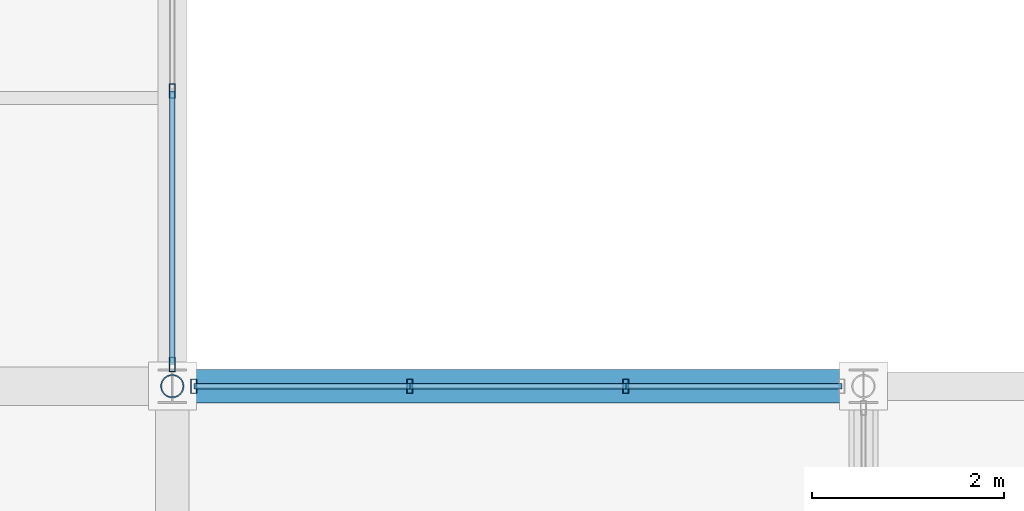
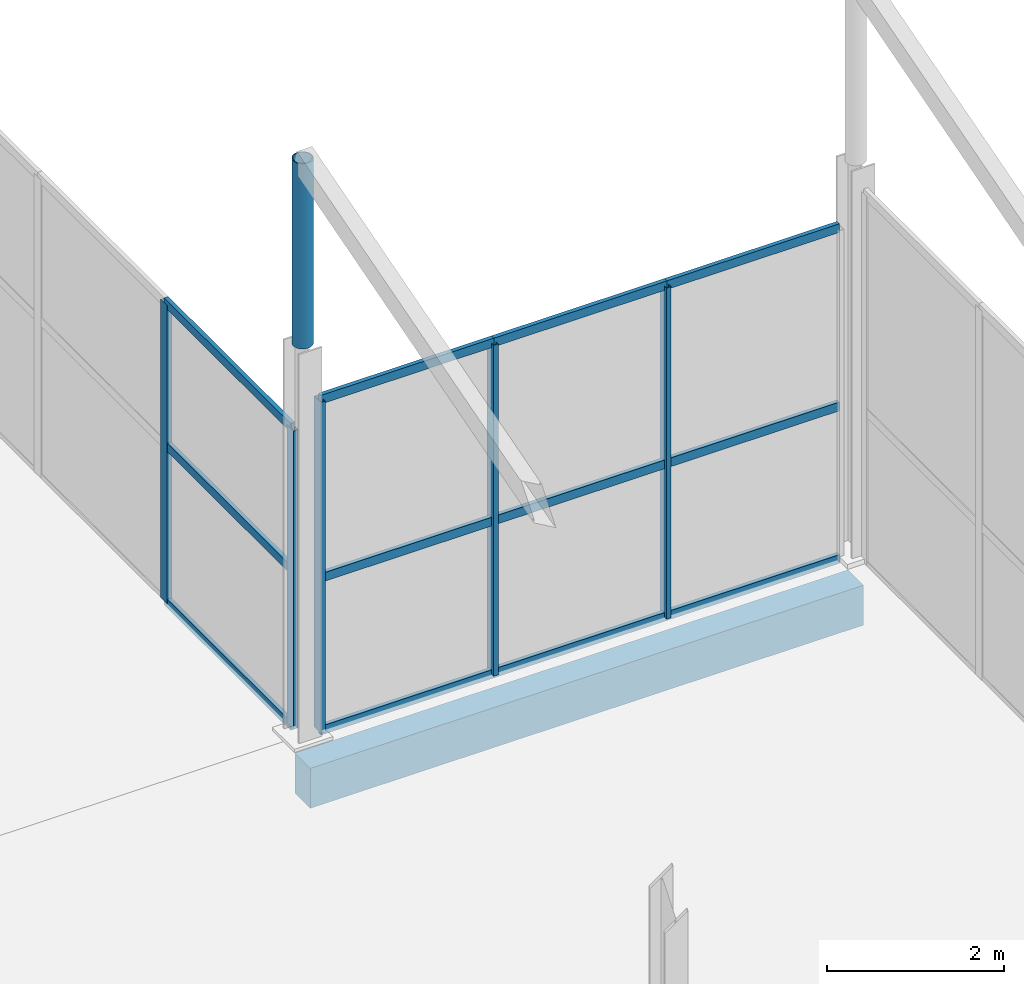
# One storey, part 76 of 141: 18 members, 1 beam, 2 elements without a shape of their own.
"""IFC4 building model written with IfcOpenShell, lengths in metres."""

from ifc_helpers import new_model, si_unit, direction, frame, origin, origin_2d, place, context, subcontext, project, spatial, rectangle, hollow_rectangle, hollow_circle, extrude, material, layer, layer_set, material_profile, profile_set, type_object, element, aggregate, save


model = new_model("IFC4")

# Units and contexts
model_context = context("Model", 3, precision=1e-05, world=origin(), true_north=direction((0.0, 1.0)))
body_context = subcontext(model_context, "Body", "Model", "MODEL_VIEW")
ifc_project = project(units=[si_unit("LENGTHUNIT", "METRE"), si_unit("AREAUNIT", "SQUARE_METRE"), si_unit("VOLUMEUNIT", "CUBIC_METRE"), si_unit("PLANEANGLEUNIT", "RADIAN"), si_unit("MASSUNIT", "GRAM", prefix="KILO")], contexts=[model_context])

# Site, building, storey
site_placement = place(None, origin())
site = spatial("IfcSite", under=ifc_project, at=site_placement, CompositionType="ELEMENT")
building_placement = place(site_placement, origin())
building = spatial("IfcBuilding", under=site, at=building_placement, Name="Sundgate Opera House", CompositionType="ELEMENT")
storey_placement = place(building_placement, frame((0.0, 0.0, 11.39990234375)))
storey = spatial("IfcBuildingStorey", under=building, at=storey_placement, Name="L02", CompositionType="ELEMENT", Elevation=11.39990234375)

# Beam
ifc_material_1 = material(Name="Concrete C35/45", Category="concrete")
ifc_material_profile_1 = material_profile(ifc_material_1, rectangle(XDim=0.35009765625, YDim=0.550048828125, at=origin_2d()), Name="RC 350x550")
ifc_profile_set_1 = profile_set([ifc_material_profile_1], Name="Concrete C35/45")
beam_type = type_object("IfcBeamType", Name="BM-RC-350x550", PredefinedType="BEAM", material=ifc_profile_set_1)
beam_placement = place(storey_placement, frame((145.800048828125, 33.0, -0.625), z_axis=(1.0, 0.0, 0.0), x_axis=(0.0, 1.0, 0.0)))
element("IfcBeam", 1, at=beam_placement, inside=storey, type_object=beam_type, Name="L02 Primary E-W Girder B2004", PredefinedType="BEAM", context=body_context, shape_type="SweptSolid", body=[
    extrude(rectangle(XDim=0.35009765625, YDim=0.550048828125, at=origin_2d()), origin(), (0.0, 0.0, 1.0), 7.199951171875),
])

# Curtain wall, members
ifc_material_2 = material(Name="Anodized aluminium and low-iron glass", Category="aluminium")
ifc_layer_1 = layer(ifc_material_2, 0.159912109375)
ifc_layer_set_1 = layer_set([ifc_layer_1], Name="Anodized aluminium and low-iron glass")
curtain_wall_type_1 = type_object("IfcCurtainWallType", Name="CW-STUDIO-DARK", PredefinedType="NOTDEFINED", material=ifc_layer_set_1)
curtain_wall_1_placement = place(storey_placement, origin())
curtain_wall_1 = element("IfcCurtainWall", 2, at=curtain_wall_1_placement, inside=storey, type_object=curtain_wall_type_1, Name="L02 Curtain Wall CW063", PredefinedType="NOTDEFINED")
ifc_material_3 = material(Name="Anodized aluminium EN AW-6063", Category="aluminium")
ifc_material_profile_2 = material_profile(ifc_material_3, hollow_rectangle(XDim=0.06005859375, YDim=0.14990234375, WallThickness=0.00390625, at=origin_2d()), Name="CWM 150x60x4")
ifc_profile_set_2 = profile_set([ifc_material_profile_2], Name="Anodized aluminium EN AW-6063")
member_type_1 = type_object("IfcMemberType", Name="CWM-ALU-150x60", PredefinedType="MULLION", material=ifc_profile_set_2)
member_1_placement = place(storey_placement, frame((145.800048828125, 33.22509765625, 0.0), z_axis=(0.0, 0.0, 1.0), x_axis=(1.0, 0.0, 0.0)))
member_1 = element("IfcMember", 3, at=member_1_placement, type_object=member_type_1, Name="CW063 Mullion 1", PredefinedType="MULLION", context=body_context, shape_type="SweptSolid", body=[
    extrude(hollow_rectangle(XDim=0.06005859375, YDim=0.14990234375, WallThickness=0.00390625, at=origin_2d()), origin(), (0.0, 0.0, 1.0), 4.10498046875),
])
member_2_placement = place(storey_placement, frame((145.800048828125, 36.074951171875, 0.0), z_axis=(0.0, 0.0, 1.0), x_axis=(1.0, 0.0, 0.0)))
member_2 = element("IfcMember", 4, at=member_2_placement, type_object=member_type_1, Name="CW063 Mullion 2", PredefinedType="MULLION", context=body_context, shape_type="SweptSolid", body=[
    extrude(hollow_rectangle(XDim=0.06005859375, YDim=0.14990234375, WallThickness=0.00390625, at=origin_2d()), origin(), (0.0, 0.0, 1.0), 4.10498046875),
])

ifc_material_4 = material(Name="Anodized aluminium and low-iron glass", Category="aluminium")
ifc_layer_2 = layer(ifc_material_4, 0.14990234375)
ifc_layer_set_2 = layer_set([ifc_layer_2], Name="Anodized aluminium and low-iron glass")
curtain_wall_type_2 = type_object("IfcCurtainWallType", Name="CW-WORKSHOP-DARK", PredefinedType="NOTDEFINED", material=ifc_layer_set_2)
curtain_wall_2_placement = place(storey_placement, origin())
curtain_wall_2 = element("IfcCurtainWall", 5, at=curtain_wall_2_placement, inside=storey, type_object=curtain_wall_type_2, Name="L02 Curtain Wall CW168", PredefinedType="NOTDEFINED")
member_3_placement = place(storey_placement, frame((146.02490234375, 33.0, 0.0), z_axis=(0.0, 0.0, 1.0), x_axis=(1.0, 0.0, 0.0)))
member_3 = element("IfcMember", 6, at=member_3_placement, type_object=member_type_1, Name="CW168 Mullion 1", PredefinedType="MULLION", context=body_context, shape_type="SweptSolid", body=[
    extrude(hollow_rectangle(XDim=0.06005859375, YDim=0.14990234375, WallThickness=0.00390625, at=origin_2d()), origin(), (0.0, 0.0, 1.0), 4.55517578125),
])
member_4_placement = place(storey_placement, frame((148.27490234375, 33.0, 0.0), z_axis=(0.0, 0.0, 1.0), x_axis=(1.0, 0.0, 0.0)))
member_4 = element("IfcMember", 7, at=member_4_placement, type_object=member_type_1, Name="CW168 Mullion 2", PredefinedType="MULLION", context=body_context, shape_type="SweptSolid", body=[
    extrude(hollow_rectangle(XDim=0.06005859375, YDim=0.14990234375, WallThickness=0.00390625, at=origin_2d()), origin(), (0.0, 0.0, 1.0), 4.55517578125),
])
member_5_placement = place(storey_placement, frame((150.52490234375, 33.0, 0.0), z_axis=(0.0, 0.0, 1.0), x_axis=(1.0, 0.0, 0.0)))
member_5 = element("IfcMember", 8, at=member_5_placement, type_object=member_type_1, Name="CW168 Mullion 3", PredefinedType="MULLION", context=body_context, shape_type="SweptSolid", body=[
    extrude(hollow_rectangle(XDim=0.06005859375, YDim=0.14990234375, WallThickness=0.00390625, at=origin_2d()), origin(), (0.0, 0.0, 1.0), 4.55517578125),
])

# Member
ifc_material_5 = material(Name="Anodized aluminium EN AW-6063", Category="aluminium")
ifc_material_profile_3 = material_profile(ifc_material_5, hollow_rectangle(XDim=0.054931640625, YDim=0.1201171875, WallThickness=0.00390625, at=origin_2d()), Name="CWT 120x55x4")
ifc_profile_set_3 = profile_set([ifc_material_profile_3], Name="Anodized aluminium EN AW-6063")
member_type_2 = type_object("IfcMemberType", Name="CWT-ALU-120x55", PredefinedType="USERDEFINED", material=ifc_profile_set_3)
member_6_placement = place(storey_placement, frame((145.800048828125, 33.22509765625, 0.0), z_axis=(0.0, 1.0, 0.0), x_axis=(-1.0, 0.0, 0.0)))
member_6 = element("IfcMember", 9, at=member_6_placement, type_object=member_type_2, Name="CW063 Transom 1", ObjectType="TRANSOM", PredefinedType="USERDEFINED", context=body_context, shape_type="SweptSolid", body=[
    extrude(hollow_rectangle(XDim=0.054931640625, YDim=0.1201171875, WallThickness=0.00390625, at=origin_2d()), origin(), (0.0, 0.0, 1.0), 2.849853515625),
])

member_7_placement = place(storey_placement, frame((145.800048828125, 33.22509765625, 2.150146484375), z_axis=(0.0, 1.0, 0.0), x_axis=(-1.0, 0.0, 0.0)))
member_7 = element("IfcMember", 10, at=member_7_placement, type_object=member_type_2, Name="CW063 Transom 2", ObjectType="TRANSOM", PredefinedType="USERDEFINED", context=body_context, shape_type="SweptSolid", body=[
    extrude(hollow_rectangle(XDim=0.054931640625, YDim=0.1201171875, WallThickness=0.00390625, at=origin_2d()), origin(), (0.0, 0.0, 1.0), 2.849853515625),
])

member_8_placement = place(storey_placement, frame((145.800048828125, 33.22509765625, 4.10498046875), z_axis=(0.0, 1.0, 0.0), x_axis=(-1.0, 0.0, 0.0)))
member_8 = element("IfcMember", 11, at=member_8_placement, type_object=member_type_2, Name="CW063 Transom 3", ObjectType="TRANSOM", PredefinedType="USERDEFINED", context=body_context, shape_type="SweptSolid", body=[
    extrude(hollow_rectangle(XDim=0.054931640625, YDim=0.1201171875, WallThickness=0.00390625, at=origin_2d()), origin(), (0.0, 0.0, 1.0), 2.849853515625),
])

aggregate(curtain_wall_1, [member_1, member_2, member_6, member_7, member_8])

member_9_placement = place(storey_placement, frame((146.02490234375, 33.0, 0.0), z_axis=(1.0, 0.0, 0.0), x_axis=(0.0, 1.0, 0.0)))
member_9 = element("IfcMember", 12, at=member_9_placement, type_object=member_type_2, Name="CW168 Transom 1", ObjectType="TRANSOM", PredefinedType="USERDEFINED", context=body_context, shape_type="SweptSolid", body=[
    extrude(hollow_rectangle(XDim=0.054931640625, YDim=0.1201171875, WallThickness=0.00390625, at=origin_2d()), origin(), (0.0, 0.0, 1.0), 2.25),
])

member_10_placement = place(storey_placement, frame((146.02490234375, 33.0, 2.10009765625), z_axis=(1.0, 0.0, 0.0), x_axis=(0.0, 1.0, 0.0)))
member_10 = element("IfcMember", 13, at=member_10_placement, type_object=member_type_2, Name="CW168 Transom 2", ObjectType="TRANSOM", PredefinedType="USERDEFINED", context=body_context, shape_type="SweptSolid", body=[
    extrude(hollow_rectangle(XDim=0.054931640625, YDim=0.1201171875, WallThickness=0.00390625, at=origin_2d()), origin(), (0.0, 0.0, 1.0), 2.25),
])

member_11_placement = place(storey_placement, frame((146.02490234375, 33.0, 4.55517578125), z_axis=(1.0, 0.0, 0.0), x_axis=(0.0, 1.0, 0.0)))
member_11 = element("IfcMember", 14, at=member_11_placement, type_object=member_type_2, Name="CW168 Transom 3", ObjectType="TRANSOM", PredefinedType="USERDEFINED", context=body_context, shape_type="SweptSolid", body=[
    extrude(hollow_rectangle(XDim=0.054931640625, YDim=0.1201171875, WallThickness=0.00390625, at=origin_2d()), origin(), (0.0, 0.0, 1.0), 2.25),
])

member_12_placement = place(storey_placement, frame((148.27490234375, 33.0, 0.0), z_axis=(1.0, 0.0, 0.0), x_axis=(0.0, 1.0, 0.0)))
member_12 = element("IfcMember", 15, at=member_12_placement, type_object=member_type_2, Name="CW168 Transom 4", ObjectType="TRANSOM", PredefinedType="USERDEFINED", context=body_context, shape_type="SweptSolid", body=[
    extrude(hollow_rectangle(XDim=0.054931640625, YDim=0.1201171875, WallThickness=0.00390625, at=origin_2d()), origin(), (0.0, 0.0, 1.0), 2.25),
])

member_13_placement = place(storey_placement, frame((148.27490234375, 33.0, 2.10009765625), z_axis=(1.0, 0.0, 0.0), x_axis=(0.0, 1.0, 0.0)))
member_13 = element("IfcMember", 16, at=member_13_placement, type_object=member_type_2, Name="CW168 Transom 5", ObjectType="TRANSOM", PredefinedType="USERDEFINED", context=body_context, shape_type="SweptSolid", body=[
    extrude(hollow_rectangle(XDim=0.054931640625, YDim=0.1201171875, WallThickness=0.00390625, at=origin_2d()), origin(), (0.0, 0.0, 1.0), 2.25),
])

member_14_placement = place(storey_placement, frame((148.27490234375, 33.0, 4.55517578125), z_axis=(1.0, 0.0, 0.0), x_axis=(0.0, 1.0, 0.0)))
member_14 = element("IfcMember", 17, at=member_14_placement, type_object=member_type_2, Name="CW168 Transom 6", ObjectType="TRANSOM", PredefinedType="USERDEFINED", context=body_context, shape_type="SweptSolid", body=[
    extrude(hollow_rectangle(XDim=0.054931640625, YDim=0.1201171875, WallThickness=0.00390625, at=origin_2d()), origin(), (0.0, 0.0, 1.0), 2.25),
])

member_15_placement = place(storey_placement, frame((150.52490234375, 33.0, 0.0), z_axis=(1.0, 0.0, 0.0), x_axis=(0.0, 1.0, 0.0)))
member_15 = element("IfcMember", 18, at=member_15_placement, type_object=member_type_2, Name="CW168 Transom 7", ObjectType="TRANSOM", PredefinedType="USERDEFINED", context=body_context, shape_type="SweptSolid", body=[
    extrude(hollow_rectangle(XDim=0.054931640625, YDim=0.1201171875, WallThickness=0.00390625, at=origin_2d()), origin(), (0.0, 0.0, 1.0), 2.25),
])

member_16_placement = place(storey_placement, frame((150.52490234375, 33.0, 2.10009765625), z_axis=(1.0, 0.0, 0.0), x_axis=(0.0, 1.0, 0.0)))
member_16 = element("IfcMember", 19, at=member_16_placement, type_object=member_type_2, Name="CW168 Transom 8", ObjectType="TRANSOM", PredefinedType="USERDEFINED", context=body_context, shape_type="SweptSolid", body=[
    extrude(hollow_rectangle(XDim=0.054931640625, YDim=0.1201171875, WallThickness=0.00390625, at=origin_2d()), origin(), (0.0, 0.0, 1.0), 2.25),
])

member_17_placement = place(storey_placement, frame((150.52490234375, 33.0, 4.55517578125), z_axis=(1.0, 0.0, 0.0), x_axis=(0.0, 1.0, 0.0)))
member_17 = element("IfcMember", 20, at=member_17_placement, type_object=member_type_2, Name="CW168 Transom 9", ObjectType="TRANSOM", PredefinedType="USERDEFINED", context=body_context, shape_type="SweptSolid", body=[
    extrude(hollow_rectangle(XDim=0.054931640625, YDim=0.1201171875, WallThickness=0.00390625, at=origin_2d()), origin(), (0.0, 0.0, 1.0), 2.25),
])

aggregate(curtain_wall_2, [member_3, member_4, member_5, member_9, member_10, member_11, member_12, member_13, member_14, member_15, member_16, member_17])

ifc_material_6 = material(Name="Steel S355J2", Category="steel")
ifc_material_profile_4 = material_profile(ifc_material_6, hollow_circle(Radius=0.122314453125, WallThickness=0.012451171875, at=origin_2d()), Name="CHS 244.5x12.5")
ifc_profile_set_4 = profile_set([ifc_material_profile_4], Name="Steel S355J2")
member_type_3 = type_object("IfcMemberType", Name="MB-STRUT-CHS244", PredefinedType="STRUT", material=ifc_profile_set_4)
member_18_placement = place(storey_placement, frame((145.800048828125, 33.0, 5.400146484375), z_axis=(0.0, 0.0, 1.0), x_axis=(1.0, 0.0, 0.0)))
element("IfcMember", 21, at=member_18_placement, inside=storey, type_object=member_type_3, Name="L02 Sawtooth Northlight Post M0432", PredefinedType="STRUT", context=body_context, shape_type="SweptSolid", body=[
    extrude(hollow_circle(Radius=0.122314453125, WallThickness=0.012451171875, at=origin_2d()), origin(), (0.0, 0.0, 1.0), 2.550048828125),
])

save(model, "model.ifc")
